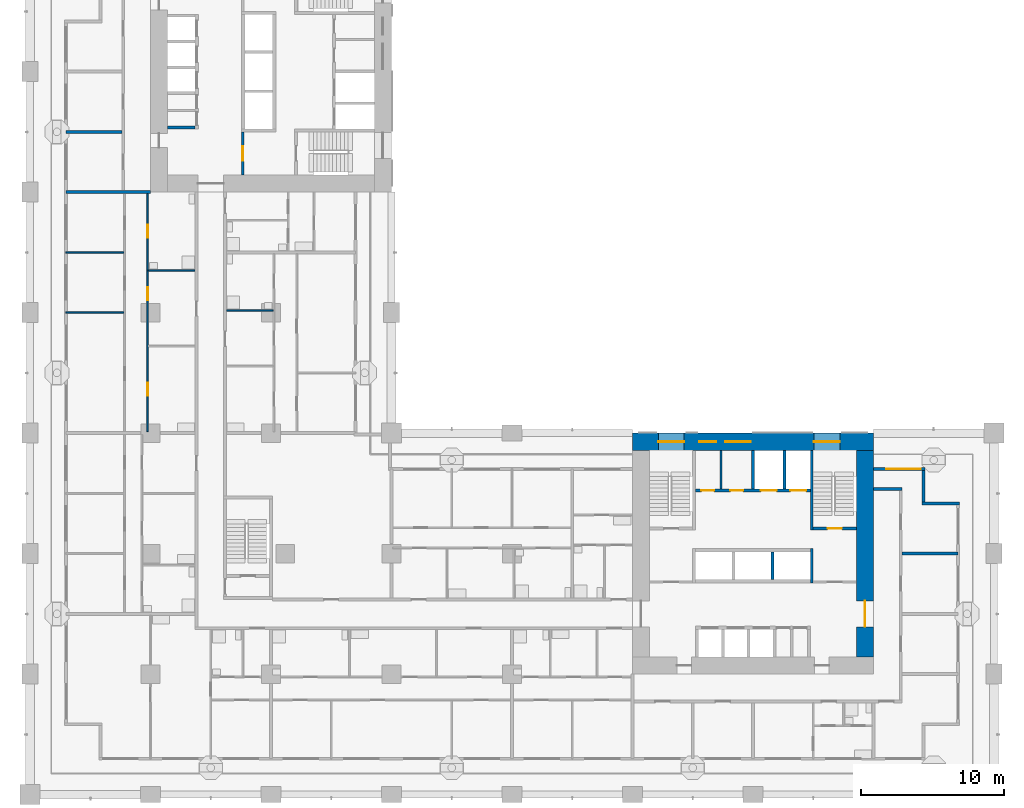
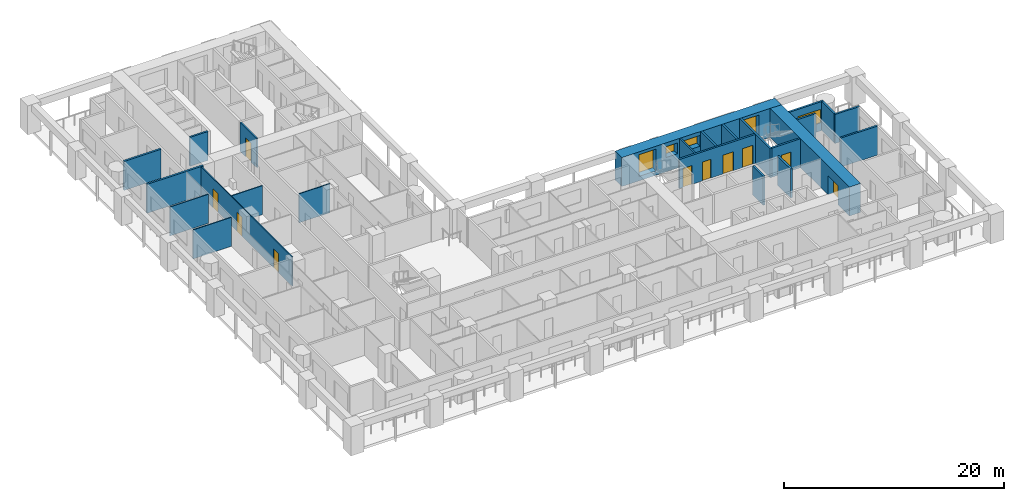
# One storey, part 7 of 20: 24 walls, 10 doors, 5 windows, 15 openings.
"""IFC4 building model written with IfcOpenShell, lengths in metres."""

from ifc_helpers import new_model, si_unit, direction, frame, frame_2d, origin, place, context, subcontext, project, spatial, rectangle, extrude, material, layer, layer_set, type_object, element, fill, save


model = new_model("IFC4")

# Units and contexts
model_context = context("Model", 3, precision=1e-05, world=origin(), true_north=direction((0.0, 1.0)))
body_context = subcontext(model_context, "Body", "Model", "MODEL_VIEW")
ifc_project = project(units=[si_unit("LENGTHUNIT", "METRE"), si_unit("AREAUNIT", "SQUARE_METRE"), si_unit("VOLUMEUNIT", "CUBIC_METRE"), si_unit("PLANEANGLEUNIT", "RADIAN"), si_unit("MASSUNIT", "GRAM", prefix="KILO")], contexts=[model_context])

# Site, building, storey
site_placement = place(None, origin())
site = spatial("IfcSite", under=ifc_project, at=site_placement, CompositionType="ELEMENT")
building_placement = place(site_placement, origin())
building = spatial("IfcBuilding", under=site, at=building_placement, Name="Vermilion Gate Residences", CompositionType="ELEMENT")
storey_placement = place(building_placement, frame((0.0, 0.0, 39.199951171875)))
storey = spatial("IfcBuildingStorey", under=building, at=storey_placement, Name="L08", CompositionType="ELEMENT", Elevation=39.199951171875)

# Wall
ifc_material_1 = material(Name="Masonry blockwork", Category="masonry")
ifc_layer_1 = layer(ifc_material_1, 0.14990234375)
ifc_layer_set_1 = layer_set([ifc_layer_1], Name="BLOCKWORK PARTITION 150 EI 120")
wall_type_1 = type_object("IfcWallType", Name="BLOCKWORK PARTITION 150 EI 120", PredefinedType="PARTITIONING", material=ifc_layer_set_1)
wall_1_placement = place(storey_placement, frame((48.16259765625, 21.300048828125, 0.0), z_axis=(0.0, 0.0, 1.0), x_axis=(0.0, 1.0, 0.0)))
element("IfcWall", 1, at=wall_1_placement, inside=storey, type_object=wall_type_1, Name="Core room partition A08-NR-P0", PredefinedType="PARTITIONING", context=body_context, shape_type="SweptSolid", body=[
    extrude(rectangle(XDim=2.699951171875, YDim=0.14990234375, at=frame_2d((1.35009765625, 0.0))), origin(), (0.0, 0.0, 1.0), 3.219970703125),
])

# Wall, opening, door
wall_2_placement = place(storey_placement, frame((14.824951171875, 46.199951171875, 0.0), z_axis=(0.0, 0.0, 1.0), x_axis=(0.0, -1.0, 0.0)))
wall_2 = element("IfcWall", 2, at=wall_2_placement, inside=storey, type_object=wall_type_1, Name="Core room partition B08-VE-S", PredefinedType="PARTITIONING", context=body_context, shape_type="SweptSolid", body=[
    extrude(rectangle(XDim=3.0, YDim=0.14990234375, at=frame_2d((1.5, 0.0))), origin(), (0.0, 0.0, 1.0), 3.219970703125),
])
opening_1_placement = place(wall_2_placement, frame((1.0, 0.0, 0.0)))
opening_1 = element("IfcOpeningElement", 3, at=opening_1_placement, cuts=wall_2, Name="Opening DK08115", PredefinedType="OPENING", context=body_context, shape_type="SweptSolid", body=[
    extrude(rectangle(XDim=1.0, YDim=2.10009765625, at=frame_2d((0.5, 1.050048828125))), frame((0.0, 0.0849609375, 0.0), z_axis=(0.0, -1.0, 0.0), x_axis=(1.0, 0.0, 0.0)), (0.0, 0.0, 1.0), 0.169921875),
])
ifc_material_2 = material(Name="Steel", Category="steel")
door_type_1 = type_object("IfcDoorType", Name="FIRE DOOR FD60 1000 X 2100", OperationType="SINGLE_SWING_LEFT", PredefinedType="DOOR", material=ifc_material_2)
door_1_placement = place(opening_1_placement, frame((1.0, 0.0, 0.0), z_axis=(0.0, 0.0, 1.0), x_axis=(-1.0, 0.0, 0.0)))
door_1 = element("IfcDoor", 4, at=door_1_placement, inside=storey, type_object=door_type_1, Name="Stair vestibule door B08", OperationType="SINGLE_SWING_LEFT", OverallHeight=2.10009765625, OverallWidth=1.0, PredefinedType="DOOR", context=body_context, shape_type="SweptSolid", body=[
    extrude(rectangle(XDim=1.0, YDim=2.10009765625, at=frame_2d((0.5, 1.050048828125))), frame((0.0, 0.02490234375, 0.0), z_axis=(0.0, -1.0, 0.0), x_axis=(1.0, 0.0, 0.0)), (0.0, 0.0, 1.0), 0.050048828125),
])
fill(opening_1, door_1)

# Walls
ifc_material_3 = material(Name="Insulated steel stud wall with terracotta rainscreen", Category="masonry")
ifc_layer_2 = layer(ifc_material_3, 0.199951171875)
ifc_layer_set_2 = layer_set([ifc_layer_2], Name="EXTERNAL WALL 200 TERRACOTTA RAINSCREEN")
wall_type_2 = type_object("IfcWallType", Name="EXTERNAL WALL 200 TERRACOTTA RAINSCREEN", PredefinedType="SOLIDWALL", material=ifc_layer_set_2)
wall_3_placement = place(storey_placement, frame((64.800048828125, 20.300048828125, 0.0), z_axis=(0.0, 0.0, 1.0), x_axis=(-1.0, 0.0, 0.0)))
element("IfcWall", 5, at=wall_3_placement, inside=storey, type_object=wall_type_2, Name="External wall", PredefinedType="SOLIDWALL", context=body_context, shape_type="SweptSolid", body=[
    extrude(rectangle(XDim=2.60009765625, YDim=0.199951171875, at=frame_2d((1.300048828125, 0.0))), origin(), (0.0, 0.0, 1.0), 3.219970703125),
])
wall_4_placement = place(storey_placement, frame((62.300048828125, 20.39990234375, 0.0), z_axis=(0.0, 0.0, 1.0), x_axis=(0.0, 1.0, 0.0)))
element("IfcWall", 6, at=wall_4_placement, inside=storey, type_object=wall_type_2, Name="External wall", PredefinedType="SOLIDWALL", context=body_context, shape_type="SweptSolid", body=[
    extrude(rectangle(XDim=2.2001953125, YDim=0.199951171875, at=frame_2d((1.10009765625, 0.0))), origin(), (0.0, 0.0, 1.0), 3.219970703125),
])

# Wall, opening, window
wall_5_placement = place(storey_placement, frame((62.39990234375, 22.699951171875, 0.0), z_axis=(0.0, 0.0, 1.0), x_axis=(-1.0, 0.0, 0.0)))
wall_5 = element("IfcWall", 7, at=wall_5_placement, inside=storey, type_object=wall_type_2, Name="External wall", PredefinedType="SOLIDWALL", context=body_context, shape_type="SweptSolid", body=[
    extrude(rectangle(XDim=3.599853515625, YDim=0.199951171875, at=frame_2d((1.7998046875, 0.0))), origin(), (0.0, 0.0, 1.0), 3.219970703125),
])
opening_2_placement = place(wall_5_placement, frame((0.300048828125, 0.0, 0.89990234375)))
opening_2 = element("IfcOpeningElement", 8, at=opening_2_placement, cuts=wall_5, Name="Opening WE08032", PredefinedType="OPENING", context=body_context, shape_type="SweptSolid", body=[
    extrude(rectangle(XDim=2.39990234375, YDim=1.5, at=frame_2d((1.199951171875, 0.75))), frame((0.0, 0.10986328125, 0.0), z_axis=(0.0, -1.0, 0.0), x_axis=(1.0, 0.0, 0.0)), (0.0, 0.0, 1.0), 0.219970703125),
])
ifc_material_4 = material(Name="Aluminium and clear glass", Category="aluminium")
window_type_1 = type_object("IfcWindowType", Name="WINDOW 2400 X 1500", PartitioningType="SINGLE_PANEL", PredefinedType="WINDOW", material=ifc_material_4)
window_1_placement = place(opening_2_placement, origin())
window_1 = element("IfcWindow", 9, at=window_1_placement, inside=storey, type_object=window_type_1, Name="Window", OverallHeight=1.5, OverallWidth=2.39990234375, PartitioningType="SINGLE_PANEL", PredefinedType="WINDOW", context=body_context, shape_type="SweptSolid", body=[
    extrude(rectangle(XDim=2.39990234375, YDim=1.5, at=frame_2d((1.199951171875, 0.75))), frame((0.0, 0.030029296875, 0.0), z_axis=(0.0, -1.0, 0.0), x_axis=(1.0, 0.0, 0.0)), (0.0, 0.0, 1.0), 0.06005859375),
])
fill(opening_2, window_1)

# Walls
ifc_material_5 = material(Name="Plasterboard on steel studs", Category="steel")
ifc_layer_3 = layer(ifc_material_5, 0.10009765625)
ifc_layer_set_3 = layer_set([ifc_layer_3], Name="PARTITION 100")
wall_type_3 = type_object("IfcWallType", Name="PARTITION 100", PredefinedType="PARTITIONING", material=ifc_layer_set_3)
wall_6_placement = place(storey_placement, frame((2.5, 33.60009765625, 0.0), z_axis=(0.0, 0.0, 1.0), x_axis=(1.0, 0.0, 0.0)))
element("IfcWall", 10, at=wall_6_placement, inside=storey, type_object=wall_type_3, Name="Partition", PredefinedType="PARTITIONING", context=body_context, shape_type="SweptSolid", body=[
    extrude(rectangle(XDim=4.050048828125, YDim=0.10009765625, at=frame_2d((2.02490234375, 0.0))), origin(), (0.0, 0.0, 1.0), 3.219970703125),
])
for number, where, z_axis, x_axis, name in (
    (11, (13.699951171875, 33.73291015625, 0.0), (0.0, 0.0, 1.0), (1.0, 0.0, 0.0), "Partition"),
    (12, (8.25, 36.532958984375, 0.0), (0.0, 0.0, 1.0), (1.0, 0.0, 0.0), "Partition"),
):
    element("IfcWall", number, at=place(storey_placement, frame(where, z_axis=z_axis, x_axis=x_axis)), inside=storey, type_object=wall_type_3, Name=name, PredefinedType="PARTITIONING", context=body_context, shape_type="SweptSolid", body=[
        extrude(rectangle(XDim=3.25, YDim=0.10009765625, at=frame_2d((1.625, 0.0))), origin(), (0.0, 0.0, 1.0), 3.219970703125),
    ])
wall_7_placement = place(storey_placement, frame((2.5, 37.800048828125, 0.0), z_axis=(0.0, 0.0, 1.0), x_axis=(1.0, 0.0, 0.0)))
element("IfcWall", 13, at=wall_7_placement, inside=storey, type_object=wall_type_3, Name="Partition", PredefinedType="PARTITIONING", context=body_context, shape_type="SweptSolid", body=[
    extrude(rectangle(XDim=4.050048828125, YDim=0.10009765625, at=frame_2d((2.02490234375, 0.0))), origin(), (0.0, 0.0, 1.0), 3.219970703125),
])

# Wall, openings, doors
wall_8_placement = place(storey_placement, frame((8.199951171875, 25.300048828125, 0.0), z_axis=(0.0, 0.0, 1.0), x_axis=(0.0, 1.0, 0.0)))
wall_8 = element("IfcWall", 14, at=wall_8_placement, inside=storey, type_object=wall_type_3, Name="Partition", PredefinedType="PARTITIONING", context=body_context, shape_type="SweptSolid", body=[
    extrude(rectangle(XDim=16.599853515625, YDim=0.10009765625, at=frame_2d((8.2998046875, 0.0))), origin(), (0.0, 0.0, 1.0), 3.219970703125),
])
opening_3_placement = place(wall_8_placement, frame((9.1669921875, 0.0, 0.0)))
opening_3 = element("IfcOpeningElement", 15, at=opening_3_placement, cuts=wall_8, Name="Opening DA07048", PredefinedType="OPENING", context=body_context, shape_type="SweptSolid", body=[
    extrude(rectangle(XDim=0.89990234375, YDim=2.10009765625, at=frame_2d((0.449951171875, 1.050048828125))), frame((0.0, 0.06005859375, 0.0), z_axis=(0.0, -1.0, 0.0), x_axis=(1.0, 0.0, 0.0)), (0.0, 0.0, 1.0), 0.1201171875),
])
opening_4_placement = place(wall_8_placement, frame((2.5, 0.0, 0.0)))
opening_4 = element("IfcOpeningElement", 16, at=opening_4_placement, cuts=wall_8, Name="Opening DA07049", PredefinedType="OPENING", context=body_context, shape_type="SweptSolid", body=[
    extrude(rectangle(XDim=0.89990234375, YDim=2.10009765625, at=frame_2d((0.449951171875, 1.050048828125))), frame((0.0, 0.06005859375, 0.0), z_axis=(0.0, -1.0, 0.0), x_axis=(1.0, 0.0, 0.0)), (0.0, 0.0, 1.0), 0.1201171875),
])
opening_5_placement = place(wall_8_placement, frame((13.532958984375, 0.0, 0.0)))
opening_5 = element("IfcOpeningElement", 17, at=opening_5_placement, cuts=wall_8, Name="Opening DA07050", PredefinedType="OPENING", context=body_context, shape_type="SweptSolid", body=[
    extrude(rectangle(XDim=0.89990234375, YDim=2.10009765625, at=frame_2d((0.449951171875, 1.050048828125))), frame((0.0, 0.06005859375, 0.0), z_axis=(0.0, -1.0, 0.0), x_axis=(1.0, 0.0, 0.0)), (0.0, 0.0, 1.0), 0.1201171875),
])
ifc_material_6 = material(Name="Timber", Category="wood")
door_type_2 = type_object("IfcDoorType", Name="INTERIOR DOOR 900 X 2100", OperationType="SINGLE_SWING_LEFT", PredefinedType="DOOR", material=ifc_material_6)
door_2_placement = place(opening_3_placement, frame((0.89990234375, 0.0, 0.0), z_axis=(0.0, 0.0, 1.0), x_axis=(-1.0, 0.0, 0.0)))
door_2 = element("IfcDoor", 18, at=door_2_placement, inside=storey, type_object=door_type_2, Name="Interior door", OperationType="SINGLE_SWING_RIGHT", OverallHeight=2.10009765625, OverallWidth=0.89990234375, PredefinedType="DOOR", context=body_context, shape_type="SweptSolid", body=[
    extrude(rectangle(XDim=0.89990234375, YDim=2.10009765625, at=frame_2d((0.449951171875, 1.050048828125))), frame((0.0, 0.02490234375, 0.0), z_axis=(0.0, -1.0, 0.0), x_axis=(1.0, 0.0, 0.0)), (0.0, 0.0, 1.0), 0.050048828125),
])
fill(opening_3, door_2)
door_3_placement = place(opening_4_placement, frame((0.89990234375, 0.0, 0.0), z_axis=(0.0, 0.0, 1.0), x_axis=(-1.0, 0.0, 0.0)))
door_3 = element("IfcDoor", 19, at=door_3_placement, inside=storey, type_object=door_type_2, Name="Interior door", OperationType="SINGLE_SWING_RIGHT", OverallHeight=2.10009765625, OverallWidth=0.89990234375, PredefinedType="DOOR", context=body_context, shape_type="SweptSolid", body=[
    extrude(rectangle(XDim=0.89990234375, YDim=2.10009765625, at=frame_2d((0.449951171875, 1.050048828125))), frame((0.0, 0.02490234375, 0.0), z_axis=(0.0, -1.0, 0.0), x_axis=(1.0, 0.0, 0.0)), (0.0, 0.0, 1.0), 0.050048828125),
])
fill(opening_4, door_3)
door_4_placement = place(opening_5_placement, frame((0.89990234375, 0.0, 0.0), z_axis=(0.0, 0.0, 1.0), x_axis=(-1.0, 0.0, 0.0)))
door_4 = element("IfcDoor", 20, at=door_4_placement, inside=storey, type_object=door_type_2, Name="Interior door", OperationType="SINGLE_SWING_RIGHT", OverallHeight=2.10009765625, OverallWidth=0.89990234375, PredefinedType="DOOR", context=body_context, shape_type="SweptSolid", body=[
    extrude(rectangle(XDim=0.89990234375, YDim=2.10009765625, at=frame_2d((0.449951171875, 1.050048828125))), frame((0.0, 0.02490234375, 0.0), z_axis=(0.0, -1.0, 0.0), x_axis=(1.0, 0.0, 0.0)), (0.0, 0.0, 1.0), 0.050048828125),
])
fill(opening_5, door_4)

# Walls
ifc_material_7 = material(Name="Fire-rated plasterboard on steel studs", Category="steel")
ifc_layer_4 = layer(ifc_material_7, 0.199951171875)
ifc_layer_set_4 = layer_set([ifc_layer_4], Name="PARTY WALL 200 EI 120")
wall_type_4 = type_object("IfcWallType", Name="PARTY WALL 200 EI 120", PredefinedType="PARTITIONING", material=ifc_layer_set_4)
wall_9_placement = place(storey_placement, frame((60.800048828125, 16.800048828125, 0.0), z_axis=(0.0, 0.0, 1.0), x_axis=(1.0, 0.0, 0.0)))
element("IfcWall", 21, at=wall_9_placement, inside=storey, type_object=wall_type_4, Name="Party and corridor wall", PredefinedType="PARTITIONING", context=body_context, shape_type="SweptSolid", body=[
    extrude(rectangle(XDim=3.89990234375, YDim=0.199951171875, at=frame_2d((1.949951171875, 0.0))), origin(), (0.0, 0.0, 1.0), 3.219970703125),
])
wall_10_placement = place(storey_placement, frame((58.800048828125, 21.300048828125, 0.0), z_axis=(0.0, 0.0, 1.0), x_axis=(1.0, 0.0, 0.0)))
element("IfcWall", 22, at=wall_10_placement, inside=storey, type_object=wall_type_4, Name="Party and corridor wall", PredefinedType="PARTITIONING", context=body_context, shape_type="SweptSolid", body=[
    extrude(rectangle(XDim=2.0, YDim=0.199951171875, at=frame_2d((1.0, 0.0))), origin(), (0.0, 0.0, 1.0), 3.219970703125),
])
wall_11_placement = place(storey_placement, frame((2.5, 42.0, 0.0), z_axis=(0.0, 0.0, 1.0), x_axis=(1.0, 0.0, 0.0)))
element("IfcWall", 23, at=wall_11_placement, inside=storey, type_object=wall_type_4, Name="Party and corridor wall", PredefinedType="PARTITIONING", context=body_context, shape_type="SweptSolid", body=[
    extrude(rectangle(XDim=5.89990234375, YDim=0.199951171875, at=frame_2d((2.949951171875, 0.0))), origin(), (0.0, 0.0, 1.0), 3.219970703125),
])
wall_12_placement = place(storey_placement, frame((2.5, 46.199951171875, 0.0), z_axis=(0.0, 0.0, 1.0), x_axis=(1.0, 0.0, 0.0)))
element("IfcWall", 24, at=wall_12_placement, inside=storey, type_object=wall_type_4, Name="Party and corridor wall", PredefinedType="PARTITIONING", context=body_context, shape_type="SweptSolid", body=[
    extrude(rectangle(XDim=3.89990234375, YDim=0.199951171875, at=frame_2d((1.949951171875, 0.0))), origin(), (0.0, 0.0, 1.0), 3.219970703125),
])
ifc_material_8 = material(Name="Concrete C60", Category="concrete")
ifc_layer_5 = layer(ifc_material_8, 0.199951171875)
ifc_layer_set_5 = layer_set([ifc_layer_5], Name="RC CORE INTERNAL WALL 200 C60")
wall_type_5 = type_object("IfcWallType", Name="RC CORE INTERNAL WALL 200 C60", PredefinedType="SHEAR", material=ifc_layer_set_5)
wall_13_placement = place(storey_placement, frame((51.7666015625, 15.0, 0.0), z_axis=(0.0, 0.0, 1.0), x_axis=(0.0, 1.0, 0.0)))
element("IfcWall", 25, at=wall_13_placement, inside=storey, type_object=wall_type_5, Name="Core internal wall A08-HR-D2", PredefinedType="SHEAR", context=body_context, shape_type="SweptSolid", body=[
    extrude(rectangle(XDim=1.89990234375, YDim=0.199951171875, at=frame_2d((0.949951171875, 0.0))), origin(), (0.0, 0.0, 1.0), 3.219970703125),
])
for number, where, z_axis, x_axis, name in (
    (26, (50.39990234375, 21.300048828125, 0.0), (0.0, 0.0, 1.0), (0.0, 1.0, 0.0), "Core internal wall A08-FF-D0"),
    (27, (52.60009765625, 21.300048828125, 0.0), (0.0, 0.0, 1.0), (0.0, 1.0, 0.0), "Core internal wall A08-FF-D1"),
):
    element("IfcWall", number, at=place(storey_placement, frame(where, z_axis=z_axis, x_axis=x_axis)), inside=storey, type_object=wall_type_5, Name=name, PredefinedType="SHEAR", context=body_context, shape_type="SweptSolid", body=[
        extrude(rectangle(XDim=2.699951171875, YDim=0.199951171875, at=frame_2d((1.35009765625, 0.0))), origin(), (0.0, 0.0, 1.0), 3.219970703125),
    ])

# Wall, openings, doors
wall_14_placement = place(storey_placement, frame((46.39990234375, 21.199951171875, 0.0), z_axis=(0.0, 0.0, 1.0), x_axis=(1.0, 0.0, 0.0)))
wall_14 = element("IfcWall", 28, at=wall_14_placement, inside=storey, type_object=wall_type_5, Name="Core internal wall A08-FF-F", PredefinedType="SHEAR", context=body_context, shape_type="SweptSolid", body=[
    extrude(rectangle(XDim=8.0, YDim=0.199951171875, at=frame_2d((4.0, 0.0))), origin(), (0.0, 0.0, 1.0), 3.219970703125),
])
opening_6_placement = place(wall_14_placement, frame((0.393798828125, 0.0, 0.0)))
opening_6 = element("IfcOpeningElement", 29, at=opening_6_placement, cuts=wall_14, Name="Opening DK08010", PredefinedType="OPENING", context=body_context, shape_type="SweptSolid", body=[
    extrude(rectangle(XDim=0.89990234375, YDim=2.10009765625, at=frame_2d((0.449951171875, 1.050048828125))), frame((0.0, 0.10986328125, 0.0), z_axis=(0.0, -1.0, 0.0), x_axis=(1.0, 0.0, 0.0)), (0.0, 0.0, 1.0), 0.219970703125),
])
opening_7_placement = place(wall_14_placement, frame((2.418701171875, 0.0, 0.0)))
opening_7 = element("IfcOpeningElement", 30, at=opening_7_placement, cuts=wall_14, Name="Opening DK08011", PredefinedType="OPENING", context=body_context, shape_type="SweptSolid", body=[
    extrude(rectangle(XDim=0.89990234375, YDim=2.10009765625, at=frame_2d((0.449951171875, 1.050048828125))), frame((0.0, 0.10986328125, 0.0), z_axis=(0.0, -1.0, 0.0), x_axis=(1.0, 0.0, 0.0)), (0.0, 0.0, 1.0), 0.219970703125),
])
opening_8_placement = place(wall_14_placement, frame((4.550048828125, 0.0, 0.0)))
opening_8 = element("IfcOpeningElement", 31, at=opening_8_placement, cuts=wall_14, Name="Opening LD", PredefinedType="OPENING", context=body_context, shape_type="SweptSolid", body=[
    extrude(rectangle(XDim=1.10009765625, YDim=2.10009765625, at=frame_2d((0.550048828125, 1.050048828125))), frame((0.0, 0.10986328125, 0.0), z_axis=(0.0, -1.0, 0.0), x_axis=(1.0, 0.0, 0.0)), (0.0, 0.0, 1.0), 0.219970703125),
])
opening_9_placement = place(wall_14_placement, frame((6.60009765625, 0.0, 0.0)))
opening_9 = element("IfcOpeningElement", 32, at=opening_9_placement, cuts=wall_14, Name="Opening LD", PredefinedType="OPENING", context=body_context, shape_type="SweptSolid", body=[
    extrude(rectangle(XDim=1.10009765625, YDim=2.10009765625, at=frame_2d((0.550048828125, 1.050048828125))), frame((0.0, 0.10986328125, 0.0), z_axis=(0.0, -1.0, 0.0), x_axis=(1.0, 0.0, 0.0)), (0.0, 0.0, 1.0), 0.219970703125),
])
ifc_material_9 = material(Name="Stainless steel", Category="steel")
door_type_3 = type_object("IfcDoorType", Name="LIFT LANDING DOOR E60 1100 X 2100", OperationType="DOUBLE_DOOR_SLIDING", PredefinedType="DOOR", material=ifc_material_9)
door_5_placement = place(opening_8_placement, origin())
door_5 = element("IfcDoor", 33, at=door_5_placement, inside=storey, type_object=door_type_3, Name="Lift landing door LFA1", OperationType="DOUBLE_DOOR_SLIDING", OverallHeight=2.10009765625, OverallWidth=1.10009765625, PredefinedType="DOOR", context=body_context, shape_type="SweptSolid", body=[
    extrude(rectangle(XDim=1.10009765625, YDim=2.10009765625, at=frame_2d((0.550048828125, 1.050048828125))), frame((0.0, 0.02490234375, 0.0), z_axis=(0.0, -1.0, 0.0), x_axis=(1.0, 0.0, 0.0)), (0.0, 0.0, 1.0), 0.050048828125),
])
fill(opening_8, door_5)
door_6_placement = place(opening_9_placement, origin())
door_6 = element("IfcDoor", 34, at=door_6_placement, inside=storey, type_object=door_type_3, Name="Lift landing door LCA1", OperationType="DOUBLE_DOOR_SLIDING", OverallHeight=2.10009765625, OverallWidth=1.10009765625, PredefinedType="DOOR", context=body_context, shape_type="SweptSolid", body=[
    extrude(rectangle(XDim=1.10009765625, YDim=2.10009765625, at=frame_2d((0.550048828125, 1.050048828125))), frame((0.0, 0.02490234375, 0.0), z_axis=(0.0, -1.0, 0.0), x_axis=(1.0, 0.0, 0.0)), (0.0, 0.0, 1.0), 0.050048828125),
])
fill(opening_9, door_6)
ifc_material_10 = material(Name="Steel", Category="steel")
door_type_4 = type_object("IfcDoorType", Name="SERVICE ROOM DOOR FD60 900 X 2100", OperationType="SINGLE_SWING_LEFT", PredefinedType="DOOR", material=ifc_material_10)
door_7_placement = place(opening_6_placement, origin())
door_7 = element("IfcDoor", 35, at=door_7_placement, inside=storey, type_object=door_type_4, Name="Communications riser A08", OperationType="SINGLE_SWING_LEFT", OverallHeight=2.10009765625, OverallWidth=0.89990234375, PredefinedType="DOOR", context=body_context, shape_type="SweptSolid", body=[
    extrude(rectangle(XDim=0.89990234375, YDim=2.10009765625, at=frame_2d((0.449951171875, 1.050048828125))), frame((0.0, 0.02490234375, 0.0), z_axis=(0.0, -1.0, 0.0), x_axis=(1.0, 0.0, 0.0)), (0.0, 0.0, 1.0), 0.050048828125),
])
fill(opening_6, door_7)
door_8_placement = place(opening_7_placement, origin())
door_8 = element("IfcDoor", 36, at=door_8_placement, inside=storey, type_object=door_type_4, Name="Refuse room A08", OperationType="SINGLE_SWING_LEFT", OverallHeight=2.10009765625, OverallWidth=0.89990234375, PredefinedType="DOOR", context=body_context, shape_type="SweptSolid", body=[
    extrude(rectangle(XDim=0.89990234375, YDim=2.10009765625, at=frame_2d((0.449951171875, 1.050048828125))), frame((0.0, 0.02490234375, 0.0), z_axis=(0.0, -1.0, 0.0), x_axis=(1.0, 0.0, 0.0)), (0.0, 0.0, 1.0), 0.050048828125),
])
fill(opening_7, door_8)

# Walls
wall_15_placement = place(storey_placement, frame((54.5, 14.75, 0.0), z_axis=(0.0, 0.0, 1.0), x_axis=(0.0, 1.0, 0.0)))
element("IfcWall", 37, at=wall_15_placement, inside=storey, type_object=wall_type_5, Name="Core internal wall A08-EDIV1", PredefinedType="SHEAR", context=body_context, shape_type="SweptSolid", body=[
    extrude(rectangle(XDim=2.39990234375, YDim=0.199951171875, at=frame_2d((1.199951171875, 0.0))), origin(), (0.0, 0.0, 1.0), 3.219970703125),
])
wall_16_placement = place(storey_placement, frame((54.5, 18.449951171875, 0.0), z_axis=(0.0, 0.0, 1.0), x_axis=(0.0, 1.0, 0.0)))
element("IfcWall", 38, at=wall_16_placement, inside=storey, type_object=wall_type_5, Name="Core internal wall A08-EDIV2", PredefinedType="SHEAR", context=body_context, shape_type="SweptSolid", body=[
    extrude(rectangle(XDim=5.550048828125, YDim=0.199951171875, at=frame_2d((2.77490234375, 0.0))), origin(), (0.0, 0.0, 1.0), 3.219970703125),
])

# Wall, opening, door
wall_17_placement = place(storey_placement, frame((54.60009765625, 18.550048828125, 0.0), z_axis=(0.0, 0.0, 1.0), x_axis=(1.0, 0.0, 0.0)))
wall_17 = element("IfcWall", 39, at=wall_17_placement, inside=storey, type_object=wall_type_5, Name="Core internal wall A08-STE-S", PredefinedType="SHEAR", context=body_context, shape_type="SweptSolid", body=[
    extrude(rectangle(XDim=3.0, YDim=0.199951171875, at=frame_2d((1.5, 0.0))), origin(), (0.0, 0.0, 1.0), 3.219970703125),
])
opening_10_placement = place(wall_17_placement, frame((1.0, 0.0, 0.0)))
opening_10 = element("IfcOpeningElement", 40, at=opening_10_placement, cuts=wall_17, Name="Opening DK08017", PredefinedType="OPENING", context=body_context, shape_type="SweptSolid", body=[
    extrude(rectangle(XDim=1.0, YDim=2.10009765625, at=frame_2d((0.5, 1.050048828125))), frame((0.0, 0.10986328125, 0.0), z_axis=(0.0, -1.0, 0.0), x_axis=(1.0, 0.0, 0.0)), (0.0, 0.0, 1.0), 0.219970703125),
])
door_9_placement = place(opening_10_placement, origin())
door_9 = element("IfcDoor", 41, at=door_9_placement, inside=storey, type_object=door_type_1, Name="Stair door A08", OperationType="SINGLE_SWING_LEFT", OverallHeight=2.10009765625, OverallWidth=1.0, PredefinedType="DOOR", context=body_context, shape_type="SweptSolid", body=[
    extrude(rectangle(XDim=1.0, YDim=2.10009765625, at=frame_2d((0.5, 1.050048828125))), frame((0.0, 0.02490234375, 0.0), z_axis=(0.0, -1.0, 0.0), x_axis=(1.0, 0.0, 0.0)), (0.0, 0.0, 1.0), 0.050048828125),
])
fill(opening_10, door_9)

# Wall
wall_18_placement = place(storey_placement, frame((9.60009765625, 46.5, 0.0), z_axis=(0.0, 0.0, 1.0), x_axis=(1.0, 0.0, 0.0)))
element("IfcWall", 42, at=wall_18_placement, inside=storey, type_object=wall_type_5, Name="Core internal wall B08-LR-DE", PredefinedType="SHEAR", context=body_context, shape_type="SweptSolid", body=[
    extrude(rectangle(XDim=1.89990234375, YDim=0.199951171875, at=frame_2d((0.949951171875, 0.0))), origin(), (0.0, 0.0, 1.0), 3.219970703125),
])

# Wall, opening, door
ifc_material_11 = material(Name="Concrete C80", Category="concrete")
ifc_layer_6 = layer(ifc_material_11, 1.199951171875)
ifc_layer_set_6 = layer_set([ifc_layer_6], Name="RC CORE WALL 1200 C80")
wall_type_6 = type_object("IfcWallType", Name="RC CORE WALL 1200 C80", PredefinedType="SHEAR", material=ifc_layer_set_6)
wall_19_placement = place(storey_placement, frame((58.199951171875, 9.60009765625, 0.0), z_axis=(0.0, 0.0, 1.0), x_axis=(0.0, 1.0, 0.0)))
wall_19 = element("IfcWall", 43, at=wall_19_placement, inside=storey, type_object=wall_type_6, Name="Core wall A08-OUT-BK", PredefinedType="SHEAR", context=body_context, shape_type="SweptSolid", body=[
    extrude(rectangle(XDim=14.39990234375, YDim=1.199951171875, at=frame_2d((7.199951171875, 0.0))), origin(), (0.0, 0.0, 1.0), 3.219970703125),
])
opening_11_placement = place(wall_19_placement, frame((2.10009765625, 0.0, 0.0)))
opening_11 = element("IfcOpeningElement", 44, at=opening_11_placement, cuts=wall_19, Name="Opening DK08004", PredefinedType="OPENING", context=body_context, shape_type="SweptSolid", body=[
    extrude(rectangle(XDim=1.800048828125, YDim=2.10009765625, at=frame_2d((0.89990234375, 1.050048828125))), frame((0.0, 0.60986328125, 0.0), z_axis=(0.0, -1.0, 0.0), x_axis=(1.0, 0.0, 0.0)), (0.0, 0.0, 1.0), 1.219970703125),
])
ifc_material_12 = material(Name="Steel", Category="steel")
door_type_5 = type_object("IfcDoorType", Name="CORE LOBBY DOOR FD60 1800 X 2100", OperationType="DOUBLE_DOOR_SINGLE_SWING", PredefinedType="DOOR", material=ifc_material_12)
door_10_placement = place(opening_11_placement, origin())
door_10 = element("IfcDoor", 45, at=door_10_placement, inside=storey, type_object=door_type_5, Name="Core lobby door A08", OperationType="DOUBLE_DOOR_SINGLE_SWING", OverallHeight=2.10009765625, OverallWidth=1.800048828125, PredefinedType="DOOR", context=body_context, shape_type="SweptSolid", body=[
    extrude(rectangle(XDim=1.800048828125, YDim=2.10009765625, at=frame_2d((0.89990234375, 1.050048828125))), frame((0.0, 0.02490234375, 0.0), z_axis=(0.0, -1.0, 0.0), x_axis=(1.0, 0.0, 0.0)), (0.0, 0.0, 1.0), 0.050048828125),
])
fill(opening_11, door_10)

# Wall, openings, windows
ifc_material_13 = material(Name="Concrete C80 red-oxide pigmented", Category="concrete")
ifc_layer_7 = layer(ifc_material_13, 1.199951171875)
ifc_layer_set_7 = layer_set([ifc_layer_7], Name="RC CORE WALL 1200 C80 RED OXIDE")
wall_type_7 = type_object("IfcWallType", Name="RC CORE WALL 1200 C80 RED OXIDE", PredefinedType="SHEAR", material=ifc_layer_set_7)
wall_20_placement = place(storey_placement, frame((42.0, 24.60009765625, 0.0), z_axis=(0.0, 0.0, 1.0), x_axis=(1.0, 0.0, 0.0)))
wall_20 = element("IfcWall", 46, at=wall_20_placement, inside=storey, type_object=wall_type_7, Name="Core wall A08-OUT-B1", PredefinedType="SHEAR", context=body_context, shape_type="SweptSolid", body=[
    extrude(rectangle(XDim=16.800048828125, YDim=1.199951171875, at=frame_2d((8.39990234375, 0.0))), origin(), (0.0, 0.0, 1.0), 3.219970703125),
])
opening_12_placement = place(wall_20_placement, frame((1.800048828125, 0.0, 0.5)))
opening_12 = element("IfcOpeningElement", 47, at=opening_12_placement, cuts=wall_20, Name="Opening WKA0801", PredefinedType="OPENING", context=body_context, shape_type="SweptSolid", body=[
    extrude(rectangle(XDim=1.800048828125, YDim=2.39990234375, at=frame_2d((0.89990234375, 1.199951171875))), frame((0.0, 0.60986328125, 0.0), z_axis=(0.0, -1.0, 0.0), x_axis=(1.0, 0.0, 0.0)), (0.0, 0.0, 1.0), 1.219970703125),
])
opening_13_placement = place(wall_20_placement, frame((4.643798828125, 0.0, 1.60009765625)))
opening_13 = element("IfcOpeningElement", 48, at=opening_13_placement, cuts=wall_20, Name="Opening WKA0802", PredefinedType="OPENING", context=body_context, shape_type="SweptSolid", body=[
    extrude(rectangle(XDim=1.199951171875, YDim=1.199951171875, at=frame_2d((0.60009765625, 0.60009765625))), frame((0.0, 0.60986328125, 0.0), z_axis=(0.0, -1.0, 0.0), x_axis=(1.0, 0.0, 0.0)), (0.0, 0.0, 1.0), 1.219970703125),
])
opening_14_placement = place(wall_20_placement, frame((6.449951171875, 0.0, 1.60009765625)))
opening_14 = element("IfcOpeningElement", 49, at=opening_14_placement, cuts=wall_20, Name="Opening WKA0803", PredefinedType="OPENING", context=body_context, shape_type="SweptSolid", body=[
    extrude(rectangle(XDim=1.800048828125, YDim=1.199951171875, at=frame_2d((0.89990234375, 0.60009765625))), frame((0.0, 0.60986328125, 0.0), z_axis=(0.0, -1.0, 0.0), x_axis=(1.0, 0.0, 0.0)), (0.0, 0.0, 1.0), 1.219970703125),
])
opening_15_placement = place(wall_20_placement, frame((12.64990234375, 0.0, 0.5)))
opening_15 = element("IfcOpeningElement", 50, at=opening_15_placement, cuts=wall_20, Name="Opening WKA0804", PredefinedType="OPENING", context=body_context, shape_type="SweptSolid", body=[
    extrude(rectangle(XDim=1.800048828125, YDim=2.39990234375, at=frame_2d((0.89990234375, 1.199951171875))), frame((0.0, 0.60986328125, 0.0), z_axis=(0.0, -1.0, 0.0), x_axis=(1.0, 0.0, 0.0)), (0.0, 0.0, 1.0), 1.219970703125),
])
ifc_material_14 = material(Name="Aluminium frame with louvre blades", Category="aluminium")
window_type_2 = type_object("IfcWindowType", Name="CORE LOUVRE 1200 X 1200", PartitioningType="SINGLE_PANEL", PredefinedType="WINDOW", material=ifc_material_14)
window_2_placement = place(opening_13_placement, origin())
window_2 = element("IfcWindow", 51, at=window_2_placement, inside=storey, type_object=window_type_2, Name="Core louvre", OverallHeight=1.199951171875, OverallWidth=1.199951171875, PartitioningType="SINGLE_PANEL", PredefinedType="WINDOW", context=body_context, shape_type="SweptSolid", body=[
    extrude(rectangle(XDim=1.199951171875, YDim=1.199951171875, at=frame_2d((0.60009765625, 0.60009765625))), frame((0.0, 0.030029296875, 0.0), z_axis=(0.0, -1.0, 0.0), x_axis=(1.0, 0.0, 0.0)), (0.0, 0.0, 1.0), 0.06005859375),
])
fill(opening_13, window_2)
ifc_material_15 = material(Name="Aluminium frame with louvre blades", Category="aluminium")
window_type_3 = type_object("IfcWindowType", Name="CORE LOUVRE 1800 X 1200", PartitioningType="SINGLE_PANEL", PredefinedType="WINDOW", material=ifc_material_15)
window_3_placement = place(opening_14_placement, origin())
window_3 = element("IfcWindow", 52, at=window_3_placement, inside=storey, type_object=window_type_3, Name="Core louvre", OverallHeight=1.199951171875, OverallWidth=1.800048828125, PartitioningType="SINGLE_PANEL", PredefinedType="WINDOW", context=body_context, shape_type="SweptSolid", body=[
    extrude(rectangle(XDim=1.800048828125, YDim=1.199951171875, at=frame_2d((0.89990234375, 0.60009765625))), frame((0.0, 0.030029296875, 0.0), z_axis=(0.0, -1.0, 0.0), x_axis=(1.0, 0.0, 0.0)), (0.0, 0.0, 1.0), 0.06005859375),
])
fill(opening_14, window_3)
ifc_material_16 = material(Name="Aluminium and clear glass", Category="aluminium")
window_type_4 = type_object("IfcWindowType", Name="CORE STAIR WINDOW 1800 X 2400", PartitioningType="SINGLE_PANEL", PredefinedType="WINDOW", material=ifc_material_16)
window_4_placement = place(opening_12_placement, origin())
window_4 = element("IfcWindow", 53, at=window_4_placement, inside=storey, type_object=window_type_4, Name="Core stair window", OverallHeight=2.39990234375, OverallWidth=1.800048828125, PartitioningType="SINGLE_PANEL", PredefinedType="WINDOW", context=body_context, shape_type="SweptSolid", body=[
    extrude(rectangle(XDim=1.800048828125, YDim=2.39990234375, at=frame_2d((0.89990234375, 1.199951171875))), frame((0.0, 0.030029296875, 0.0), z_axis=(0.0, -1.0, 0.0), x_axis=(1.0, 0.0, 0.0)), (0.0, 0.0, 1.0), 0.06005859375),
])
fill(opening_12, window_4)
window_5_placement = place(opening_15_placement, origin())
window_5 = element("IfcWindow", 54, at=window_5_placement, inside=storey, type_object=window_type_4, Name="Core stair window", OverallHeight=2.39990234375, OverallWidth=1.800048828125, PartitioningType="SINGLE_PANEL", PredefinedType="WINDOW", context=body_context, shape_type="SweptSolid", body=[
    extrude(rectangle(XDim=1.800048828125, YDim=2.39990234375, at=frame_2d((0.89990234375, 1.199951171875))), frame((0.0, 0.030029296875, 0.0), z_axis=(0.0, -1.0, 0.0), x_axis=(1.0, 0.0, 0.0)), (0.0, 0.0, 1.0), 0.06005859375),
])
fill(opening_15, window_5)

save(model, "model.ifc")
